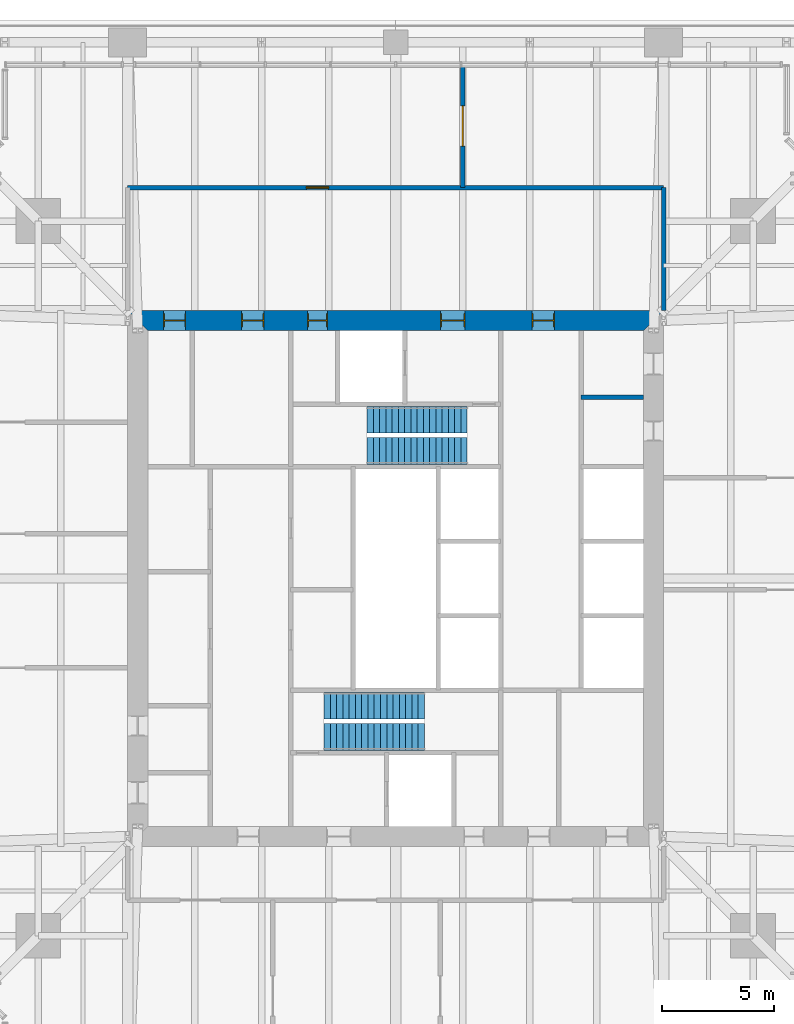
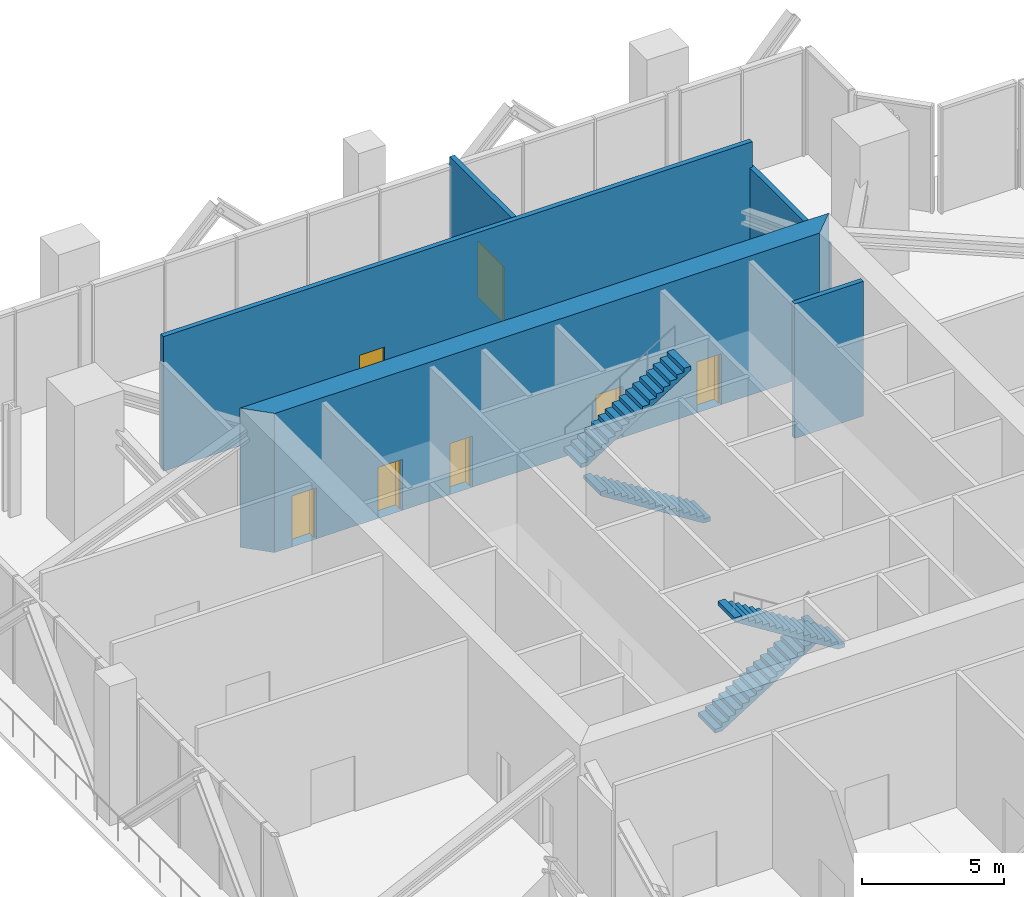
# One storey, part 11 of 14: 7 doors, 5 walls, 4 stair flights, 7 openings, 2 elements without a shape of their own.
"""IFC4 building model written with IfcOpenShell, lengths in metres."""

from ifc_helpers import new_model, si_unit, direction, frame, frame_2d, origin, place, context, subcontext, project, spatial, polyline, rectangle, outline, extrude, material, layer, layer_set, type_object, element, fill, aggregate, save


model = new_model("IFC4")

# Units and contexts
model_context = context("Model", 3, precision=1e-05, world=origin(), true_north=direction((0.0, 1.0)))
body_context = subcontext(model_context, "Body", "Model", "MODEL_VIEW")
ifc_project = project(units=[si_unit("LENGTHUNIT", "METRE"), si_unit("AREAUNIT", "SQUARE_METRE"), si_unit("VOLUMEUNIT", "CUBIC_METRE"), si_unit("PLANEANGLEUNIT", "RADIAN"), si_unit("MASSUNIT", "GRAM", prefix="KILO")], contexts=[model_context])

# Site, building, storey
site_placement = place(None, origin())
site = spatial("IfcSite", under=ifc_project, at=site_placement, CompositionType="ELEMENT")
building_placement = place(site_placement, origin())
building = spatial("IfcBuilding", under=site, at=building_placement, Name="Fenwick Lantern Interchange", CompositionType="ELEMENT")
storey_placement = place(building_placement, frame((0.0, 0.0, 233.800048828125)))
storey = spatial("IfcBuildingStorey", under=building, at=storey_placement, Name="L55", CompositionType="ELEMENT", Elevation=233.800048828125)

# Wall
ifc_material_1 = material(Name="Concrete masonry ASTM C90 Grade N", Category="masonry")
ifc_layer_1 = layer(ifc_material_1, 0.199951171875)
ifc_layer_set_1 = layer_set([ifc_layer_1], Name="Concrete masonry ASTM C90 Grade N")
wall_type_1 = type_object("IfcWallType", Name="CORE PARTITION 200", PredefinedType="PARTITIONING", material=ifc_layer_set_1)
wall_1_placement = place(storey_placement, frame((36.10009765625, 33.10009765625, 0.0), z_axis=(0.0, 0.0, 1.0), x_axis=(-1.0, 0.0, 0.0)))
element("IfcWall", 1, at=wall_1_placement, inside=storey, type_object=wall_type_1, Name="L55/W/COREN/p1", PredefinedType="PARTITIONING", context=body_context, shape_type="SweptSolid", body=[
    extrude(rectangle(XDim=2.800048828125, YDim=0.199951171875, at=frame_2d((1.39990234375, 0.0))), origin(), (0.0, 0.0, 1.0), 5.800048828125),
])

# Wall, openings, doors
ifc_material_2 = material(Name="Concrete f'c 70 MPa", Category="concrete")
ifc_layer_2 = layer(ifc_material_2, 0.89990234375)
ifc_layer_set_2 = layer_set([ifc_layer_2], Name="CORE WALL 900")
wall_type_2 = type_object("IfcWallType", Name="CORE WALL 900", PredefinedType="SHEAR", material=ifc_layer_set_2)
wall_2_placement = place(storey_placement, frame((37.0, 36.550048828125, 0.0), z_axis=(0.0, 0.0, 1.0), x_axis=(-1.0, 0.0, 0.0)))
wall_2 = element("IfcWall", 2, at=wall_2_placement, inside=storey, type_object=wall_type_2, Name="L55/CORE/N", PredefinedType="SHEAR", context=body_context, shape_type="SweptSolid", body=[
    extrude(outline(polyline([(0.0, -0.449951171875), (24.0, -0.449951171875), (23.10009765625, 0.449951171875), (0.89990234375, 0.449951171875), (0.0, -0.449951171875)])), origin(), (0.0, 0.0, 1.0), 6.0),
])
opening_1_placement = place(wall_2_placement, frame((4.89990234375, 0.0, 0.0)))
opening_1 = element("IfcOpeningElement", 3, at=opening_1_placement, cuts=wall_2, Name="Opening L55-D014", PredefinedType="OPENING", context=body_context, shape_type="SweptSolid", body=[
    extrude(rectangle(XDim=1.0, YDim=2.199951171875, at=frame_2d((0.5, 1.10009765625))), frame((0.0, 0.4599609375, 0.0), z_axis=(0.0, -1.0, 0.0), x_axis=(1.0, 0.0, 0.0)), (0.0, 0.0, 1.0), 0.919921875),
])
opening_2_placement = place(wall_2_placement, frame((8.89990234375, 0.0, 0.0)))
opening_2 = element("IfcOpeningElement", 4, at=opening_2_placement, cuts=wall_2, Name="Opening L55-D015", PredefinedType="OPENING", context=body_context, shape_type="SweptSolid", body=[
    extrude(rectangle(XDim=1.10009765625, YDim=2.199951171875, at=frame_2d((0.550048828125, 1.10009765625))), frame((0.0, 0.4599609375, 0.0), z_axis=(0.0, -1.0, 0.0), x_axis=(1.0, 0.0, 0.0)), (0.0, 0.0, 1.0), 0.919921875),
])
opening_3_placement = place(wall_2_placement, frame((15.050048828125, 0.0, 0.0)))
opening_3 = element("IfcOpeningElement", 5, at=opening_3_placement, cuts=wall_2, Name="Opening L55-D017", PredefinedType="OPENING", context=body_context, shape_type="SweptSolid", body=[
    extrude(rectangle(XDim=0.89990234375, YDim=2.199951171875, at=frame_2d((0.449951171875, 1.10009765625))), frame((0.0, 0.4599609375, 0.0), z_axis=(0.0, -1.0, 0.0), x_axis=(1.0, 0.0, 0.0)), (0.0, 0.0, 1.0), 0.919921875),
])
opening_4_placement = place(wall_2_placement, frame((17.89990234375, 0.0, 0.0)))
opening_4 = element("IfcOpeningElement", 6, at=opening_4_placement, cuts=wall_2, Name="Opening L55-D018", PredefinedType="OPENING", context=body_context, shape_type="SweptSolid", body=[
    extrude(rectangle(XDim=1.0, YDim=2.199951171875, at=frame_2d((0.5, 1.10009765625))), frame((0.0, 0.4599609375, 0.0), z_axis=(0.0, -1.0, 0.0), x_axis=(1.0, 0.0, 0.0)), (0.0, 0.0, 1.0), 0.919921875),
])
opening_5_placement = place(wall_2_placement, frame((21.39990234375, 0.0, 0.0)))
opening_5 = element("IfcOpeningElement", 7, at=opening_5_placement, cuts=wall_2, Name="Opening L55-D019", PredefinedType="OPENING", context=body_context, shape_type="SweptSolid", body=[
    extrude(rectangle(XDim=1.0, YDim=2.199951171875, at=frame_2d((0.5, 1.10009765625))), frame((0.0, 0.4599609375, 0.0), z_axis=(0.0, -1.0, 0.0), x_axis=(1.0, 0.0, 0.0)), (0.0, 0.0, 1.0), 0.919921875),
])
ifc_material_3 = material(Name="Steel door and frame", Category="steel")
door_type_1 = type_object("IfcDoorType", Name="CORE LOBBY DOOR 1000 X 2200", OperationType="SINGLE_SWING_LEFT", PredefinedType="DOOR", material=ifc_material_3)
door_1_placement = place(opening_1_placement, frame((1.0, 0.0, 0.0), z_axis=(0.0, 0.0, 1.0), x_axis=(-1.0, 0.0, 0.0)))
door_1 = element("IfcDoor", 8, at=door_1_placement, inside=storey, type_object=door_type_1, Name="Core lobby door", OperationType="SINGLE_SWING_RIGHT", OverallHeight=2.199951171875, OverallWidth=1.0, PredefinedType="DOOR", context=body_context, shape_type="SweptSolid", body=[
    extrude(rectangle(XDim=1.0, YDim=2.199951171875, at=frame_2d((0.5, 1.10009765625))), frame((0.0, 0.02490234375, 0.0), z_axis=(0.0, -1.0, 0.0), x_axis=(1.0, 0.0, 0.0)), (0.0, 0.0, 1.0), 0.050048828125),
    extrude(outline(polyline([(0.0, 0.0), (0.0400390625, 0.0), (0.0400390625, 2.159912109375), (0.9599609375, 2.159912109375), (0.9599609375, 0.0), (1.0, 0.0), (1.0, 2.199951171875), (0.0, 2.199951171875), (0.0, 0.0)])), frame((0.0, 0.300048828125, 0.0), z_axis=(0.0, -1.0, 0.0), x_axis=(1.0, 0.0, 0.0)), (0.0, 0.0, 1.0), 0.60009765625),
])
fill(opening_1, door_1)
door_type_2 = type_object("IfcDoorType", Name="FIRE LOBBY DOOR 1100 X 2200", OperationType="SINGLE_SWING_LEFT", PredefinedType="DOOR", material=ifc_material_3)
door_2_placement = place(opening_2_placement, origin())
door_2 = element("IfcDoor", 9, at=door_2_placement, inside=storey, type_object=door_type_2, Name="Fire lobby door", OperationType="SINGLE_SWING_LEFT", OverallHeight=2.199951171875, OverallWidth=1.10009765625, PredefinedType="DOOR", context=body_context, shape_type="SweptSolid", body=[
    extrude(rectangle(XDim=1.10009765625, YDim=2.199951171875, at=frame_2d((0.550048828125, 1.10009765625))), frame((0.0, 0.02490234375, 0.0), z_axis=(0.0, -1.0, 0.0), x_axis=(1.0, 0.0, 0.0)), (0.0, 0.0, 1.0), 0.050048828125),
    extrude(outline(polyline([(0.0, 0.0), (0.0400390625, 0.0), (0.0400390625, 2.159912109375), (1.06005859375, 2.159912109375), (1.06005859375, 0.0), (1.10009765625, 0.0), (1.10009765625, 2.199951171875), (0.0, 2.199951171875), (0.0, 0.0)])), frame((0.0, 0.300048828125, 0.0), z_axis=(0.0, -1.0, 0.0), x_axis=(1.0, 0.0, 0.0)), (0.0, 0.0, 1.0), 0.60009765625),
])
fill(opening_2, door_2)
door_type_3 = type_object("IfcDoorType", Name="SERVICE DOOR 900 X 2200", OperationType="SINGLE_SWING_LEFT", PredefinedType="DOOR", material=ifc_material_3)
door_3_placement = place(opening_3_placement, origin())
door_3 = element("IfcDoor", 10, at=door_3_placement, inside=storey, type_object=door_type_3, Name="Service door", OperationType="SINGLE_SWING_LEFT", OverallHeight=2.199951171875, OverallWidth=0.89990234375, PredefinedType="DOOR", context=body_context, shape_type="SweptSolid", body=[
    extrude(rectangle(XDim=0.89990234375, YDim=2.199951171875, at=frame_2d((0.449951171875, 1.10009765625))), frame((0.0, 0.02490234375, 0.0), z_axis=(0.0, -1.0, 0.0), x_axis=(1.0, 0.0, 0.0)), (0.0, 0.0, 1.0), 0.050048828125),
    extrude(outline(polyline([(0.0, 0.0), (0.0400390625, 0.0), (0.0400390625, 2.159912109375), (0.85986328125, 2.159912109375), (0.85986328125, 0.0), (0.89990234375, 0.0), (0.89990234375, 2.199951171875), (0.0, 2.199951171875), (0.0, 0.0)])), frame((0.0, 0.300048828125, 0.0), z_axis=(0.0, -1.0, 0.0), x_axis=(1.0, 0.0, 0.0)), (0.0, 0.0, 1.0), 0.60009765625),
])
fill(opening_3, door_3)
ifc_material_4 = material(Name="Hardwood door and steel frame", Category="steel")
door_type_4 = type_object("IfcDoorType", Name="WC DOOR 1000 X 2200", OperationType="SINGLE_SWING_LEFT", PredefinedType="DOOR", material=ifc_material_4)
door_4_placement = place(opening_4_placement, origin())
door_4 = element("IfcDoor", 11, at=door_4_placement, inside=storey, type_object=door_type_4, Name="Wc door", OperationType="SINGLE_SWING_LEFT", OverallHeight=2.199951171875, OverallWidth=1.0, PredefinedType="DOOR", context=body_context, shape_type="SweptSolid", body=[
    extrude(rectangle(XDim=1.0, YDim=2.199951171875, at=frame_2d((0.5, 1.10009765625))), frame((0.0, 0.02490234375, 0.0), z_axis=(0.0, -1.0, 0.0), x_axis=(1.0, 0.0, 0.0)), (0.0, 0.0, 1.0), 0.050048828125),
    extrude(outline(polyline([(0.0, 0.0), (0.0400390625, 0.0), (0.0400390625, 2.159912109375), (0.9599609375, 2.159912109375), (0.9599609375, 0.0), (1.0, 0.0), (1.0, 2.199951171875), (0.0, 2.199951171875), (0.0, 0.0)])), frame((0.0, 0.300048828125, 0.0), z_axis=(0.0, -1.0, 0.0), x_axis=(1.0, 0.0, 0.0)), (0.0, 0.0, 1.0), 0.60009765625),
])
fill(opening_4, door_4)
door_5_placement = place(opening_5_placement, origin())
door_5 = element("IfcDoor", 12, at=door_5_placement, inside=storey, type_object=door_type_4, Name="Wc door", OperationType="SINGLE_SWING_LEFT", OverallHeight=2.199951171875, OverallWidth=1.0, PredefinedType="DOOR", context=body_context, shape_type="SweptSolid", body=[
    extrude(rectangle(XDim=1.0, YDim=2.199951171875, at=frame_2d((0.5, 1.10009765625))), frame((0.0, 0.02490234375, 0.0), z_axis=(0.0, -1.0, 0.0), x_axis=(1.0, 0.0, 0.0)), (0.0, 0.0, 1.0), 0.050048828125),
    extrude(outline(polyline([(0.0, 0.0), (0.0400390625, 0.0), (0.0400390625, 2.159912109375), (0.9599609375, 2.159912109375), (0.9599609375, 0.0), (1.0, 0.0), (1.0, 2.199951171875), (0.0, 2.199951171875), (0.0, 0.0)])), frame((0.0, 0.300048828125, 0.0), z_axis=(0.0, -1.0, 0.0), x_axis=(1.0, 0.0, 0.0)), (0.0, 0.0, 1.0), 0.60009765625),
])
fill(opening_5, door_5)

# Wall, opening, door
ifc_layer_3 = layer(ifc_material_1, 0.199951171875)
ifc_layer_set_3 = layer_set([ifc_layer_3], Name="Concrete masonry ASTM C90 Grade N")
wall_type_3 = type_object("IfcWallType", Name="PLANT ROOM WALL 200", PredefinedType="PARTITIONING", material=ifc_layer_set_3)
wall_3_placement = place(storey_placement, frame((28.0, 42.5, 0.0), z_axis=(0.0, 0.0, 1.0), x_axis=(0.0, 1.0, 0.0)))
wall_3 = element("IfcWall", 13, at=wall_3_placement, inside=storey, type_object=wall_type_3, Name="L55/W/FLOOR/PW5", PredefinedType="PARTITIONING", context=body_context, shape_type="SweptSolid", body=[
    extrude(rectangle(XDim=5.5, YDim=0.199951171875, at=frame_2d((2.75, 0.0))), origin(), (0.0, 0.0, 1.0), 4.9541015625),
])
opening_6_placement = place(wall_3_placement, frame((1.85009765625, 0.0, 0.0)))
opening_6 = element("IfcOpeningElement", 14, at=opening_6_placement, cuts=wall_3, Name="Opening L55-D027", PredefinedType="OPENING", context=body_context, shape_type="SweptSolid", body=[
    extrude(rectangle(XDim=1.800048828125, YDim=2.39990234375, at=frame_2d((0.89990234375, 1.199951171875))), frame((0.0, 0.10986328125, 0.0), z_axis=(0.0, -1.0, 0.0), x_axis=(1.0, 0.0, 0.0)), (0.0, 0.0, 1.0), 0.219970703125),
])
door_type_5 = type_object("IfcDoorType", Name="ROOM DOOR PAIR 1800 X 2400", OperationType="DOUBLE_DOOR_SINGLE_SWING", PredefinedType="DOOR", material=ifc_material_3)
door_6_placement = place(opening_6_placement, frame((1.800048828125, 0.0, 0.0), z_axis=(0.0, 0.0, 1.0), x_axis=(-1.0, 0.0, 0.0)))
door_6 = element("IfcDoor", 15, at=door_6_placement, inside=storey, type_object=door_type_5, Name="Room door pair", OperationType="DOUBLE_DOOR_SINGLE_SWING", OverallHeight=2.39990234375, OverallWidth=1.800048828125, PredefinedType="DOOR", context=body_context, shape_type="SweptSolid", body=[
    extrude(rectangle(XDim=1.800048828125, YDim=2.39990234375, at=frame_2d((0.89990234375, 1.199951171875))), frame((0.0, 0.02490234375, 0.0), z_axis=(0.0, -1.0, 0.0), x_axis=(1.0, 0.0, 0.0)), (0.0, 0.0, 1.0), 0.050048828125),
])
fill(opening_6, door_6)

ifc_layer_4 = layer(ifc_material_1, 0.199951171875)
ifc_layer_set_4 = layer_set([ifc_layer_4], Name="Concrete masonry ASTM C90 Grade N")
wall_type_4 = type_object("IfcWallType", Name="REFUGE WALL 200", PredefinedType="PARTITIONING", material=ifc_layer_set_4)
wall_4_placement = place(storey_placement, frame((13.0, 42.5, 0.0), z_axis=(0.0, 0.0, 1.0), x_axis=(1.0, 0.0, 0.0)))
wall_4 = element("IfcWall", 16, at=wall_4_placement, inside=storey, type_object=wall_type_4, Name="L55/W/FLOOR/REF-W", PredefinedType="PARTITIONING", context=body_context, shape_type="SweptSolid", body=[
    extrude(rectangle(XDim=24.0, YDim=0.199951171875, at=frame_2d((12.0, 0.0))), origin(), (0.0, 0.0, 1.0), 5.800048828125),
])
opening_7_placement = place(wall_4_placement, frame((8.0, 0.0, 0.0)))
opening_7 = element("IfcOpeningElement", 17, at=opening_7_placement, cuts=wall_4, Name="Opening L55-D022", PredefinedType="OPENING", context=body_context, shape_type="SweptSolid", body=[
    extrude(rectangle(XDim=1.0, YDim=2.199951171875, at=frame_2d((0.5, 1.10009765625))), frame((0.0, 0.10986328125, 0.0), z_axis=(0.0, -1.0, 0.0), x_axis=(1.0, 0.0, 0.0)), (0.0, 0.0, 1.0), 0.219970703125),
])
door_type_6 = type_object("IfcDoorType", Name="FIRE LOBBY DOOR 1000 X 2200", OperationType="SINGLE_SWING_LEFT", PredefinedType="DOOR", material=ifc_material_3)
door_7_placement = place(opening_7_placement, frame((1.0, 0.0, 0.0), z_axis=(0.0, 0.0, 1.0), x_axis=(-1.0, 0.0, 0.0)))
door_7 = element("IfcDoor", 18, at=door_7_placement, inside=storey, type_object=door_type_6, Name="Fire lobby door", OperationType="SINGLE_SWING_RIGHT", OverallHeight=2.199951171875, OverallWidth=1.0, PredefinedType="DOOR", context=body_context, shape_type="SweptSolid", body=[
    extrude(rectangle(XDim=1.0, YDim=2.199951171875, at=frame_2d((0.5, 1.10009765625))), frame((0.0, 0.02490234375, 0.0), z_axis=(0.0, -1.0, 0.0), x_axis=(1.0, 0.0, 0.0)), (0.0, 0.0, 1.0), 0.050048828125),
])
fill(opening_7, door_7)

# Wall
wall_5_placement = place(storey_placement, frame((37.0, 42.5, 0.0), z_axis=(0.0, 0.0, 1.0), x_axis=(0.0, -1.0, 0.0)))
element("IfcWall", 19, at=wall_5_placement, inside=storey, type_object=wall_type_4, Name="L55/W/FLOOR/REF-E", PredefinedType="PARTITIONING", context=body_context, shape_type="SweptSolid", body=[
    extrude(rectangle(XDim=5.5, YDim=0.199951171875, at=frame_2d((2.75, 0.0))), origin(), (0.0, 0.0, 1.0), 4.705322265625),
])

# Stair, stair flights
ifc_material_5 = material(Name="Precast concrete f'c 35 MPa", Category="concrete")
stair_type = type_object("IfcStairType", Name="EXIT STAIR 1200", PredefinedType="HALF_TURN_STAIR", material=ifc_material_5)
stair_1_placement = place(storey_placement, origin())
stair_1 = element("IfcStair", 20, at=stair_1_placement, inside=storey, type_object=stair_type, Name="Exit stair ST1", PredefinedType="HALF_TURN_STAIR")
stair_flight_type = type_object("IfcStairFlightType", Name="STAIR FLIGHT 1200", PredefinedType="STRAIGHT", material=ifc_material_5)
stair_flight_1_placement = place(storey_placement, frame((21.800048828125, 19.300048828125, 0.0), z_axis=(0.0, 0.0, 1.0), x_axis=(1.0, 0.0, 0.0)))
stair_flight_1 = element("IfcStairFlight", 21, at=stair_flight_1_placement, type_object=stair_flight_type, Name="ST1 flight 1", NumberOfRisers=17, NumberOfTreads=16, PredefinedType="STRAIGHT", RiserHeight=0.176470588, TreadLength=0.28, context=body_context, shape_type="SweptSolid", body=[
    extrude(outline(polyline([(0.0, 0.0), (0.0, 0.176513671875), (0.280029296875, 0.176513671875), (0.280029296875, 0.35302734375), (0.56005859375, 0.35302734375), (0.56005859375, 0.529296875), (0.840087890625, 0.529296875), (0.840087890625, 0.705810546875), (1.1201171875, 0.705810546875), (1.1201171875, 0.88232421875), (1.39990234375, 0.88232421875), (1.39990234375, 1.058837890625), (1.679931640625, 1.058837890625), (1.679931640625, 1.2353515625), (1.9599609375, 1.2353515625), (1.9599609375, 1.411865234375), (2.239990234375, 1.411865234375), (2.239990234375, 1.588134765625), (2.52001953125, 1.588134765625), (2.52001953125, 1.7646484375), (2.800048828125, 1.7646484375), (2.800048828125, 1.941162109375), (3.080078125, 1.941162109375), (3.080078125, 2.11767578125), (3.360107421875, 2.11767578125), (3.360107421875, 2.294189453125), (3.639892578125, 2.294189453125), (3.639892578125, 2.470703125), (3.919921875, 2.470703125), (3.919921875, 2.64697265625), (4.199951171875, 2.64697265625), (4.199951171875, 2.823486328125), (4.47998046875, 2.823486328125), (4.47998046875, 3.0), (4.47998046875, 2.646240234375), (0.28125, 0.0), (0.0, 0.0)])), frame((0.0, 0.60009765625, 0.0), z_axis=(0.0, -1.0, 0.0), x_axis=(1.0, 0.0, 0.0)), (0.0, 0.0, 1.0), 1.199951171875),
])
stair_flight_2_placement = place(storey_placement, frame((26.280029296875, 17.89990234375, 3.0), z_axis=(0.0, 0.0, 1.0), x_axis=(-1.0, 0.0, 0.0)))
stair_flight_2 = element("IfcStairFlight", 22, at=stair_flight_2_placement, type_object=stair_flight_type, Name="ST1 flight 2", NumberOfRisers=17, NumberOfTreads=16, PredefinedType="STRAIGHT", RiserHeight=0.176470588, TreadLength=0.28, context=body_context, shape_type="SweptSolid", body=[
    extrude(outline(polyline([(0.0, 0.0), (0.0, 0.176513671875), (0.280029296875, 0.176513671875), (0.280029296875, 0.35302734375), (0.56005859375, 0.35302734375), (0.56005859375, 0.529296875), (0.840087890625, 0.529296875), (0.840087890625, 0.705810546875), (1.1201171875, 0.705810546875), (1.1201171875, 0.88232421875), (1.39990234375, 0.88232421875), (1.39990234375, 1.058837890625), (1.679931640625, 1.058837890625), (1.679931640625, 1.2353515625), (1.9599609375, 1.2353515625), (1.9599609375, 1.411865234375), (2.239990234375, 1.411865234375), (2.239990234375, 1.588134765625), (2.52001953125, 1.588134765625), (2.52001953125, 1.7646484375), (2.800048828125, 1.7646484375), (2.800048828125, 1.941162109375), (3.080078125, 1.941162109375), (3.080078125, 2.11767578125), (3.360107421875, 2.11767578125), (3.360107421875, 2.294189453125), (3.639892578125, 2.294189453125), (3.639892578125, 2.470703125), (3.919921875, 2.470703125), (3.919921875, 2.64697265625), (4.199951171875, 2.64697265625), (4.199951171875, 2.823486328125), (4.47998046875, 2.823486328125), (4.47998046875, 3.0), (4.47998046875, 2.646240234375), (0.28125, 0.0), (0.0, 0.0)])), frame((0.0, 0.60009765625, 0.0), z_axis=(0.0, -1.0, 0.0), x_axis=(1.0, 0.0, 0.0)), (0.0, 0.0, 1.0), 1.199951171875),
])
aggregate(stair_1, [stair_flight_1, stair_flight_2])

stair_2_placement = place(storey_placement, origin())
stair_2 = element("IfcStair", 23, at=stair_2_placement, inside=storey, type_object=stair_type, Name="Exit stair ST2", PredefinedType="HALF_TURN_STAIR")
stair_flight_3_placement = place(storey_placement, frame((28.199951171875, 30.699951171875, 0.0), z_axis=(0.0, 0.0, 1.0), x_axis=(-1.0, 0.0, 0.0)))
stair_flight_3 = element("IfcStairFlight", 24, at=stair_flight_3_placement, type_object=stair_flight_type, Name="ST2 flight 1", NumberOfRisers=17, NumberOfTreads=16, PredefinedType="STRAIGHT", RiserHeight=0.176470588, TreadLength=0.28, context=body_context, shape_type="SweptSolid", body=[
    extrude(outline(polyline([(0.0, 0.0), (0.0, 0.176513671875), (0.280029296875, 0.176513671875), (0.280029296875, 0.35302734375), (0.56005859375, 0.35302734375), (0.56005859375, 0.529296875), (0.840087890625, 0.529296875), (0.840087890625, 0.705810546875), (1.1201171875, 0.705810546875), (1.1201171875, 0.88232421875), (1.39990234375, 0.88232421875), (1.39990234375, 1.058837890625), (1.679931640625, 1.058837890625), (1.679931640625, 1.2353515625), (1.9599609375, 1.2353515625), (1.9599609375, 1.411865234375), (2.239990234375, 1.411865234375), (2.239990234375, 1.588134765625), (2.52001953125, 1.588134765625), (2.52001953125, 1.7646484375), (2.800048828125, 1.7646484375), (2.800048828125, 1.941162109375), (3.080078125, 1.941162109375), (3.080078125, 2.11767578125), (3.360107421875, 2.11767578125), (3.360107421875, 2.294189453125), (3.639892578125, 2.294189453125), (3.639892578125, 2.470703125), (3.919921875, 2.470703125), (3.919921875, 2.64697265625), (4.199951171875, 2.64697265625), (4.199951171875, 2.823486328125), (4.47998046875, 2.823486328125), (4.47998046875, 3.0), (4.47998046875, 2.646240234375), (0.28125, 0.0), (0.0, 0.0)])), frame((0.0, 0.60009765625, 0.0), z_axis=(0.0, -1.0, 0.0), x_axis=(1.0, 0.0, 0.0)), (0.0, 0.0, 1.0), 1.199951171875),
])
stair_flight_4_placement = place(storey_placement, frame((23.719970703125, 32.10009765625, 3.0), z_axis=(0.0, 0.0, 1.0), x_axis=(1.0, 0.0, 0.0)))
stair_flight_4 = element("IfcStairFlight", 25, at=stair_flight_4_placement, type_object=stair_flight_type, Name="ST2 flight 2", NumberOfRisers=17, NumberOfTreads=16, PredefinedType="STRAIGHT", RiserHeight=0.176470588, TreadLength=0.28, context=body_context, shape_type="SweptSolid", body=[
    extrude(outline(polyline([(0.0, 0.0), (0.0, 0.176513671875), (0.280029296875, 0.176513671875), (0.280029296875, 0.35302734375), (0.56005859375, 0.35302734375), (0.56005859375, 0.529296875), (0.840087890625, 0.529296875), (0.840087890625, 0.705810546875), (1.1201171875, 0.705810546875), (1.1201171875, 0.88232421875), (1.39990234375, 0.88232421875), (1.39990234375, 1.058837890625), (1.679931640625, 1.058837890625), (1.679931640625, 1.2353515625), (1.9599609375, 1.2353515625), (1.9599609375, 1.411865234375), (2.239990234375, 1.411865234375), (2.239990234375, 1.588134765625), (2.52001953125, 1.588134765625), (2.52001953125, 1.7646484375), (2.800048828125, 1.7646484375), (2.800048828125, 1.941162109375), (3.080078125, 1.941162109375), (3.080078125, 2.11767578125), (3.360107421875, 2.11767578125), (3.360107421875, 2.294189453125), (3.639892578125, 2.294189453125), (3.639892578125, 2.470703125), (3.919921875, 2.470703125), (3.919921875, 2.64697265625), (4.199951171875, 2.64697265625), (4.199951171875, 2.823486328125), (4.47998046875, 2.823486328125), (4.47998046875, 3.0), (4.47998046875, 2.646240234375), (0.28125, 0.0), (0.0, 0.0)])), frame((0.0, 0.60009765625, 0.0), z_axis=(0.0, -1.0, 0.0), x_axis=(1.0, 0.0, 0.0)), (0.0, 0.0, 1.0), 1.199951171875),
])
aggregate(stair_2, [stair_flight_3, stair_flight_4])

save(model, "model.ifc")
